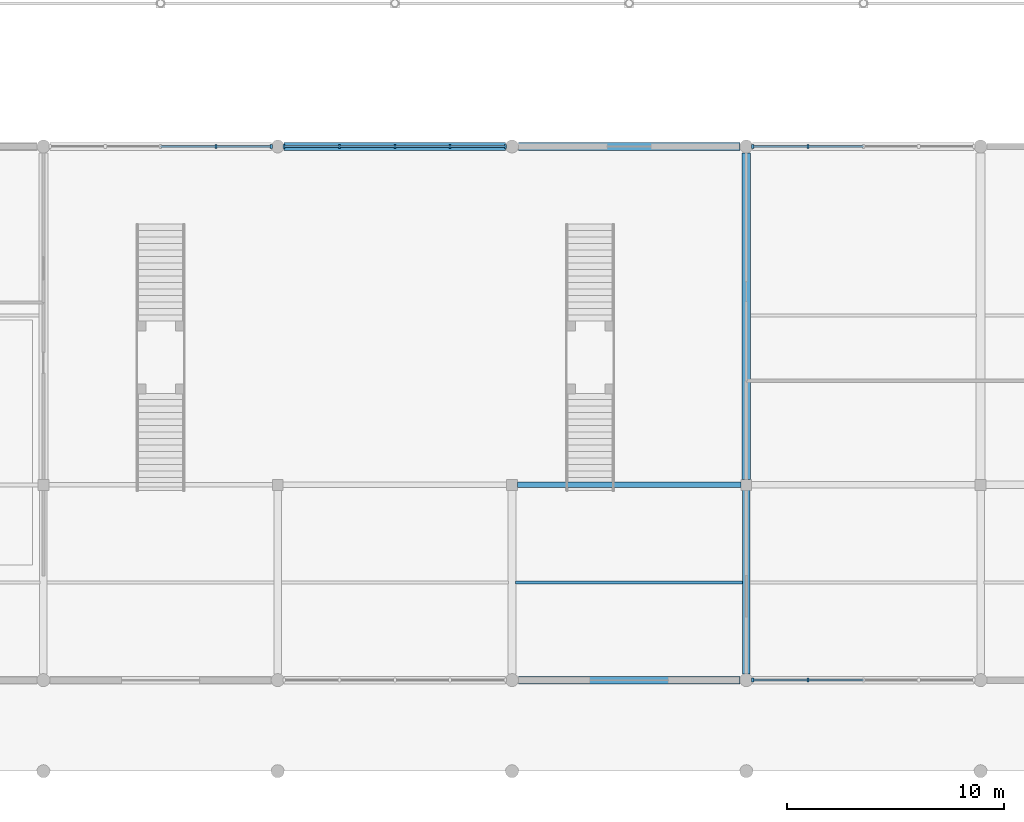
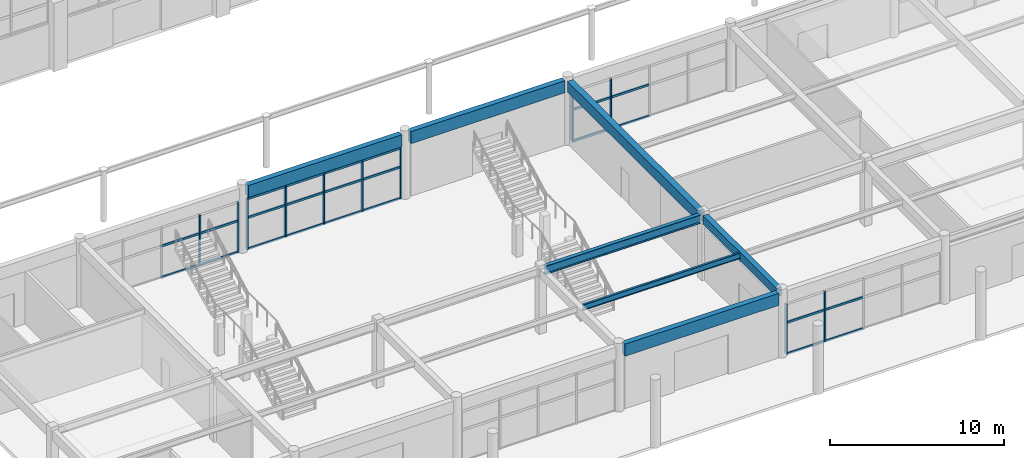
# One storey, part 23 of 82: 32 members, 7 beams, 4 elements without a shape of their own.
"""IFC4 building model written with IfcOpenShell, lengths in metres."""

import ifcopenshell
import ifcopenshell.guid

model = None  # the IFC model being written
_history = None  # IfcOwnerHistory: only IFC2X3 demands one
_inside = {}  # id of a spatial element -> (the spatial element, [elements in it])
_under = {}  # id of a project, library or spatial element -> (it, [spatial elements below it])
_declared = {}  # id of a project -> (the project, [libraries it declares])
_typed = {}  # id of a type object -> (the type object, [elements of that type])
_made_of = {}  # id of a material, layer set ... -> (it, [elements and type objects made of it])


def new_model(schema):
    """Start an empty IFC model of exactly this schema.

    Asked for "IFC4X3", IfcOpenShell would pick the latest addendum, in which some entities
    have other attributes; the version numbers below select the first issue.
    IFC2X3 requires an IfcOwnerHistory on every rooted entity: one is made here for all.
    """
    global model, _history
    if schema == "IFC4X3":
        model = ifcopenshell.file(schema_version=(4, 3, 0, 0))
    else:
        model = ifcopenshell.file(schema=schema)
    _inside.clear()
    _under.clear()
    _declared.clear()
    _typed.clear()
    _made_of.clear()
    _history = None
    if model.schema == "IFC2X3":
        org = make("IfcOrganization", Name="unknown")
        user = make(
            "IfcPersonAndOrganization",
            ThePerson=make("IfcPerson", FamilyName="unknown"),
            TheOrganization=org,
        )
        app = make(
            "IfcApplication",
            ApplicationDeveloper=org,
            Version="unknown",
            ApplicationFullName="unknown",
            ApplicationIdentifier="unknown",
        )
        _history = make(
            "IfcOwnerHistory",
            OwningUser=user,
            OwningApplication=app,
            ChangeAction="ADDED",
            CreationDate=0,
        )
    return model


def make(cls, **values):
    """One entity of the class cls with the attributes given. An attribute that is None is left unset."""
    return model.create_entity(
        cls, **{name: value for name, value in values.items() if value is not None}
    )


def rooted(cls, **values):
    """An entity with a GlobalId (a new one), such as an element, a storey or a relation."""
    return make(cls, GlobalId=ifcopenshell.guid.new(), OwnerHistory=_history, **values)


def si_unit(unit_type, name, prefix=None):
    """IfcSIUnit, for example si_unit("LENGTHUNIT", "METRE", prefix="MILLI")."""
    return make("IfcSIUnit", UnitType=unit_type, Prefix=prefix, Name=name)


def assignment(units):
    """IfcUnitAssignment: the units of a project."""
    return None if units is None else make("IfcUnitAssignment", Units=units)


def point(xyz):
    """IfcCartesianPoint."""
    return None if xyz is None else make("IfcCartesianPoint", Coordinates=xyz)


def direction(xyz):
    """IfcDirection."""
    return None if xyz is None else make("IfcDirection", DirectionRatios=xyz)


def frame(location, z_axis=None, x_axis=None):
    """IfcAxis2Placement3D, a coordinate frame: its origin and axes. An axis left out is left unset."""
    return make(
        "IfcAxis2Placement3D",
        Location=point(location),
        Axis=direction(z_axis),
        RefDirection=direction(x_axis),
    )


def frame_2d(location, x_axis=None):
    """IfcAxis2Placement2D, a coordinate frame in the plane: its origin and x axis."""
    return make(
        "IfcAxis2Placement2D", Location=point(location), RefDirection=direction(x_axis)
    )


def origin():
    """The frame at (0, 0, 0) with its axes left unset."""
    return frame((0.0, 0.0, 0.0))


def origin_2d():
    """The frame at (0, 0) in the plane with its x axis left unset."""
    return frame_2d((0.0, 0.0))


def place(relative_to, where):
    """IfcLocalPlacement: puts the frame where relative to a parent placement (None: the world)."""
    return make(
        "IfcLocalPlacement", PlacementRelTo=relative_to, RelativePlacement=where
    )


def context(
    kind, dimensions, precision=None, world=None, true_north=None, identifier=None
):
    """IfcGeometricRepresentationContext, for example the 3D "Model" context."""
    return make(
        "IfcGeometricRepresentationContext",
        ContextIdentifier=identifier,
        ContextType=kind,
        CoordinateSpaceDimension=dimensions,
        Precision=precision,
        WorldCoordinateSystem=world,
        TrueNorth=true_north,
    )


def subcontext(parent, identifier, kind, view, scale=None):
    """IfcGeometricRepresentationSubContext, for example "Body" below "Model"."""
    return make(
        "IfcGeometricRepresentationSubContext",
        ContextIdentifier=identifier,
        ContextType=kind,
        ParentContext=parent,
        TargetScale=scale,
        TargetView=view,
    )


def project(units=None, contexts=None):
    """IfcProject with its units and contexts."""
    return rooted(
        "IfcProject",
        Name="project",
        RepresentationContexts=contexts,
        UnitsInContext=assignment(units),
    )


def spatial(cls, under=None, at=None, **own):
    """A site, building, storey or space (cls), placed at a placement, below another one or the project."""
    s = rooted(cls, ObjectPlacement=at, **own)
    if under is not None:
        _under.setdefault(under.id(), (under, []))[1].append(s)
    return s


def profile(cls, at=None, kind="AREA", **sizes):
    """A parametric profile (cls). Its sizes go by their IFC names, for example OverallWidth=200.0."""
    return make(cls, ProfileType=kind, Position=at, **sizes)


def rectangle(**sizes):
    """IfcRectangleProfileDef."""
    return profile("IfcRectangleProfileDef", **sizes)


def i_section(**sizes):
    """IfcIShapeProfileDef."""
    return profile("IfcIShapeProfileDef", **sizes)


def extrude(swept, where, along, depth):
    """IfcExtrudedAreaSolid: the profile swept, set in the frame where, extruded along a direction by depth."""
    return make(
        "IfcExtrudedAreaSolid",
        SweptArea=swept,
        Position=where,
        ExtrudedDirection=direction(along),
        Depth=depth,
    )


def shape(context_of_items, identifier, shape_type, items):
    """IfcShapeRepresentation: the items that make up one representation, for example the "Body"."""
    return make(
        "IfcShapeRepresentation",
        ContextOfItems=context_of_items,
        RepresentationIdentifier=identifier,
        RepresentationType=shape_type,
        Items=items,
    )


def material(Name=None, Category=None):
    """IfcMaterial."""
    return make("IfcMaterial", Name=Name, Category=Category)


def material_profile(
    of_material, cross_section, Name=None, Category=None, Priority=None
):
    """IfcMaterialProfile: a cross section and its material."""
    return make(
        "IfcMaterialProfile",
        Name=Name,
        Material=of_material,
        Profile=cross_section,
        Priority=Priority,
        Category=Category,
    )


def profile_set(profiles, Name=None, composite=None):
    """IfcMaterialProfileSet."""
    return make(
        "IfcMaterialProfileSet",
        Name=Name,
        MaterialProfiles=profiles,
        CompositeProfile=composite,
    )


def made_of(thing, what):
    """Note that an element or type object is made of a material, layer set ...; save() writes the relation."""
    if what is not None:
        _made_of.setdefault(what.id(), (what, []))[1].append(thing)
    return thing


def type_object(cls, material=None, **own):
    """A type object (cls), such as IfcWallType, which elements share."""
    return made_of(rooted(cls, **own), material)


def element(
    cls,
    number,
    at=None,
    inside=None,
    cuts=None,
    type_object=None,
    material=None,
    context=None,
    identifier="Body",
    shape_type=None,
    held_by="IfcProductDefinitionShape",
    body=None,
    shapes=None,
    **own,
):
    """One element of the class cls, such as IfcWall. Its Tag is "e" and its number.

    at: its placement. inside: the storey or other place that contains it. cuts: it is an
    opening in that element (IfcRelVoidsElement). A single representation is given by context,
    identifier, shape_type and body (its items); several are given by shapes. held_by: the class
    of the entity that holds the representations. save() writes the other relations.
    """
    e = rooted(cls, Tag="e%d" % number, ObjectPlacement=at, **own)
    if body is not None:
        shapes = [shape(context, identifier, shape_type, body)]
    if shapes is not None:
        e.Representation = make(held_by, Representations=shapes)
    if inside is not None:
        _inside.setdefault(inside.id(), (inside, []))[1].append(e)
    if cuts is not None:
        rooted(
            "IfcRelVoidsElement", RelatingBuildingElement=cuts, RelatedOpeningElement=e
        )
    if type_object is not None:
        _typed.setdefault(type_object.id(), (type_object, []))[1].append(e)
    return made_of(e, material)


def aggregate(whole, parts):
    """IfcRelAggregates: a whole, such as a stair, and the parts it consists of."""
    return rooted("IfcRelAggregates", RelatingObject=whole, RelatedObjects=parts)


def save(model, path):
    """Write the relations noted so far, then the file.

    IfcRelAggregates (storeys below a building ...), IfcRelContainedInSpatialStructure (elements
    in a storey), IfcRelDefinesByType, IfcRelAssociatesMaterial and IfcRelDeclares: one each for
    every whole, place, type object, material and project.
    """
    for whole, parts in _under.values():
        aggregate(whole, parts)
    for where, things in _inside.values():
        rooted(
            "IfcRelContainedInSpatialStructure",
            RelatedElements=things,
            RelatingStructure=where,
        )
    for kind, things in _typed.values():
        rooted("IfcRelDefinesByType", RelatedObjects=things, RelatingType=kind)
    for what, things in _made_of.values():
        rooted("IfcRelAssociatesMaterial", RelatedObjects=things, RelatingMaterial=what)
    for by, libraries in _declared.values():
        rooted("IfcRelDeclares", RelatingContext=by, RelatedDefinitions=libraries)
    model.write(path)


model = new_model("IFC4")

# Units and contexts
model_context = context("Model", 3, precision=1e-05, world=origin(), true_north=direction((0.0, 1.0)))
body_context = subcontext(model_context, "Body", "Model", "MODEL_VIEW")
ifc_project = project(units=[si_unit("LENGTHUNIT", "METRE"), si_unit("AREAUNIT", "SQUARE_METRE"), si_unit("VOLUMEUNIT", "CUBIC_METRE"), si_unit("PLANEANGLEUNIT", "RADIAN"), si_unit("MASSUNIT", "GRAM", prefix="KILO")], contexts=[model_context])

# Site, building, storey
site_placement = place(None, origin())
site = spatial("IfcSite", under=ifc_project, at=site_placement, CompositionType="ELEMENT")
building_placement = place(site_placement, origin())
building = spatial("IfcBuilding", under=site, at=building_placement, Name="Suirenkawa Promenade Aquatics Centre", CompositionType="ELEMENT")
storey_placement = place(building_placement, origin())
storey = spatial("IfcBuildingStorey", under=building, at=storey_placement, Name="L00", CompositionType="ELEMENT", Elevation=0.0)

# Beams
ifc_material_1 = material(Name="Steel IS 2062 E350 (Grade 350)", Category="steel")
ifc_material_profile_1 = material_profile(ifc_material_1, i_section(OverallWidth=0.139892578125, OverallDepth=0.39990234375, WebThickness=0.009033203125, FlangeThickness=0.01611328125, at=origin_2d()), Name="ISMB 400", Category="steel")
ifc_profile_set_1 = profile_set([ifc_material_profile_1], Name="Steel IS 2062 E350 (Grade 350)")
beam_type_1 = type_object("IfcBeamType", Name="BT-JOIST-ISMB400", PredefinedType="JOIST", material=ifc_profile_set_1)
beam_1_placement = place(storey_placement, frame((111.76904296875, 8.699951171875, 4.347900390625), z_axis=(1.0, 0.0, 0.0), x_axis=(0.0, 1.0, 0.0)))
element("IfcBeam", 1, at=beam_1_placement, inside=storey, type_object=beam_type_1, Name="Secondary floor joist JS-04 BM-1536", PredefinedType="JOIST", context=body_context, shape_type="SweptSolid", body=[
    extrude(i_section(OverallWidth=0.139892578125, OverallDepth=0.39990234375, WebThickness=0.009033203125, FlangeThickness=0.01611328125, at=origin_2d()), origin(), (0.0, 0.0, 1.0), 10.4619140625),
])
ifc_material_2 = material(Name="Concrete M35", Category="concrete")
ifc_material_profile_2 = material_profile(ifc_material_2, rectangle(XDim=0.35009765625, YDim=0.60009765625, at=origin_2d()), Name="RC BM 350x600", Category="concrete")
ifc_profile_set_2 = profile_set([ifc_material_profile_2], Name="Concrete M35")
beam_type_2 = type_object("IfcBeamType", Name="BT-RC-350x600", PredefinedType="BEAM", material=ifc_profile_set_2)
beam_2_placement = place(storey_placement, frame((122.39990234375, 4.493896484375, 4.25), z_axis=(0.0, 1.0, 0.0), x_axis=(-1.0, 0.0, 0.0)))
element("IfcBeam", 2, at=beam_2_placement, inside=storey, type_object=beam_type_2, Name="Floor beam BM-02 BM-1524", PredefinedType="BEAM", context=body_context, shape_type="SweptSolid", body=[
    extrude(rectangle(XDim=0.35009765625, YDim=0.60009765625, at=origin_2d()), origin(), (0.0, 0.0, 1.0), 8.462158203125),
])
ifc_material_3 = material(Name="Concrete M40", Category="concrete")
ifc_material_profile_3 = material_profile(ifc_material_3, rectangle(XDim=0.39990234375, YDim=0.75, at=origin_2d()), Name="RC BM 400x750", Category="concrete")
ifc_profile_set_3 = profile_set([ifc_material_profile_3], Name="Concrete M40")
beam_type_3 = type_object("IfcBeamType", Name="BT-RC-400x750", PredefinedType="BEAM", material=ifc_profile_set_3)
beam_3_placement = place(storey_placement, frame((122.39990234375, 13.444091796875, 4.175048828125), z_axis=(0.0, 1.0, 0.0), x_axis=(-1.0, 0.0, 0.0)))
element("IfcBeam", 3, at=beam_3_placement, inside=storey, type_object=beam_type_3, Name="Floor beam BM-05 BM-1525", PredefinedType="BEAM", context=body_context, shape_type="SweptSolid", body=[
    extrude(rectangle(XDim=0.39990234375, YDim=0.75, at=origin_2d()), origin(), (0.0, 0.0, 1.0), 15.06201171875),
])
ifc_material_profile_4 = material_profile(ifc_material_3, rectangle(XDim=0.35009765625, YDim=0.85009765625, at=origin_2d()), Name="RC SPANDREL 350x850", Category="concrete")
ifc_profile_set_4 = profile_set([ifc_material_profile_4], Name="Concrete M40")
beam_type_4 = type_object("IfcBeamType", Name="BT-SPANDREL-350x850", PredefinedType="SPANDREL", material=ifc_profile_set_4)
for number, where, z_axis, x_axis, name in (
    (4, (111.89404296875, 4.199951171875, 4.125), (1.0, 0.0, 0.0), (0.0, 1.0, 0.0), "Floor beam SP-02 BM-1500"),
    (5, (101.093994140625, 28.800048828125, 4.125), (1.0, 0.0, 0.0), (0.0, 1.0, 0.0), "Floor beam SP-02 BM-1513"),
    (6, (111.89404296875, 28.800048828125, 4.125), (1.0, 0.0, 0.0), (0.0, 1.0, 0.0), "Floor beam SP-02 BM-1514"),
):
    element("IfcBeam", number, at=place(storey_placement, frame(where, z_axis=z_axis, x_axis=x_axis)), inside=storey, type_object=beam_type_4, Name=name, PredefinedType="SPANDREL", context=body_context, shape_type="SweptSolid", body=[
        extrude(rectangle(XDim=0.35009765625, YDim=0.85009765625, at=origin_2d()), origin(), (0.0, 0.0, 1.0), 10.2119140625),
    ])
ifc_material_profile_5 = material_profile(ifc_material_1, i_section(OverallWidth=0.25, OverallDepth=0.60009765625, WebThickness=0.011962890625, FlangeThickness=0.02392578125, at=origin_2d()), Name="ISWB 600", Category="steel")
ifc_profile_set_5 = profile_set([ifc_material_profile_5], Name="Steel IS 2062 E350 (Grade 350)")
beam_type_5 = type_object("IfcBeamType", Name="BT-STL-ISWB600", PredefinedType="BEAM", material=ifc_profile_set_5)
beam_4_placement = place(storey_placement, frame((111.843994140625, 13.199951171875, 4.25), z_axis=(1.0, 0.0, 0.0), x_axis=(0.0, 1.0, 0.0)))
element("IfcBeam", 7, at=beam_4_placement, inside=storey, type_object=beam_type_5, Name="Floor beam BM-12 BM-1507", PredefinedType="BEAM", context=body_context, shape_type="SweptSolid", body=[
    extrude(i_section(OverallWidth=0.25, OverallDepth=0.60009765625, WebThickness=0.011962890625, FlangeThickness=0.02392578125, at=origin_2d()), origin(), (0.0, 0.0, 1.0), 10.31201171875),
])

# Curtain wall, members
ifc_material_4 = material(Name="Anodised aluminium 6063-T6", Category="aluminium")
curtain_wall_type_1 = type_object("IfcCurtainWallType", Name="CWAT-V3NL0-26", PredefinedType="NOTDEFINED", material=ifc_material_4)
curtain_wall_1_placement = place(storey_placement, origin())
curtain_wall_1 = element("IfcCurtainWall", 8, at=curtain_wall_1_placement, inside=storey, type_object=curtain_wall_type_1, Name="Curtain wall CWA-26 CW-058", PredefinedType="NOTDEFINED")
ifc_material_profile_6 = material_profile(ifc_material_4, rectangle(XDim=0.094970703125, YDim=0.18994140625, at=origin_2d()), Name="ALU MULL 95x190", Category="aluminium")
ifc_profile_set_6 = profile_set([ifc_material_profile_6], Name="Anodised aluminium 6063-T6")
member_type_1 = type_object("IfcMemberType", Name="CWM-190x95", PredefinedType="MULLION", material=ifc_profile_set_6)
member_1_placement = place(storey_placement, frame((97.950439453125, 28.800048828125, 0.0), z_axis=(0.0, 0.0, 1.0), x_axis=(1.0, 0.0, 0.0)))
member_1 = element("IfcMember", 9, at=member_1_placement, type_object=member_type_1, Name="Mullion ML-02 CWM-01148", PredefinedType="MULLION", context=body_context, shape_type="SweptSolid", body=[
    extrude(rectangle(XDim=0.094970703125, YDim=0.18994140625, at=origin_2d()), origin(), (0.0, 0.0, 1.0), 3.52001953125),
])
member_2_placement = place(storey_placement, frame((100.5009765625, 28.800048828125, 0.0), z_axis=(0.0, 0.0, 1.0), x_axis=(1.0, 0.0, 0.0)))
member_2 = element("IfcMember", 10, at=member_2_placement, type_object=member_type_1, Name="Mullion ML-02 CWM-01149", PredefinedType="MULLION", context=body_context, shape_type="SweptSolid", body=[
    extrude(rectangle(XDim=0.094970703125, YDim=0.18994140625, at=origin_2d()), origin(), (0.0, 0.0, 1.0), 3.52001953125),
])

curtain_wall_2_placement = place(storey_placement, origin())
curtain_wall_2 = element("IfcCurtainWall", 11, at=curtain_wall_2_placement, inside=storey, type_object=curtain_wall_type_1, Name="Curtain wall CWA-26 CW-062", PredefinedType="NOTDEFINED")
member_3_placement = place(storey_placement, frame((101.09912109375, 28.800048828125, 0.0), z_axis=(0.0, 0.0, 1.0), x_axis=(1.0, 0.0, 0.0)))
member_3 = element("IfcMember", 12, at=member_3_placement, type_object=member_type_1, Name="Mullion ML-02 CWM-01233", PredefinedType="MULLION", context=body_context, shape_type="SweptSolid", body=[
    extrude(rectangle(XDim=0.094970703125, YDim=0.18994140625, at=origin_2d()), origin(), (0.0, 0.0, 1.0), 3.52001953125),
])
member_4_placement = place(storey_placement, frame((103.6494140625, 28.800048828125, 0.0), z_axis=(0.0, 0.0, 1.0), x_axis=(1.0, 0.0, 0.0)))
member_4 = element("IfcMember", 13, at=member_4_placement, type_object=member_type_1, Name="Mullion ML-02 CWM-01234", PredefinedType="MULLION", context=body_context, shape_type="SweptSolid", body=[
    extrude(rectangle(XDim=0.094970703125, YDim=0.18994140625, at=origin_2d()), origin(), (0.0, 0.0, 1.0), 3.52001953125),
])
member_5_placement = place(storey_placement, frame((106.199951171875, 28.800048828125, 0.0), z_axis=(0.0, 0.0, 1.0), x_axis=(1.0, 0.0, 0.0)))
member_5 = element("IfcMember", 14, at=member_5_placement, type_object=member_type_1, Name="Mullion ML-02 CWM-01235", PredefinedType="MULLION", context=body_context, shape_type="SweptSolid", body=[
    extrude(rectangle(XDim=0.094970703125, YDim=0.18994140625, at=origin_2d()), origin(), (0.0, 0.0, 1.0), 3.52001953125),
])
member_6_placement = place(storey_placement, frame((108.75048828125, 28.800048828125, 0.0), z_axis=(0.0, 0.0, 1.0), x_axis=(1.0, 0.0, 0.0)))
member_6 = element("IfcMember", 15, at=member_6_placement, type_object=member_type_1, Name="Mullion ML-02 CWM-01236", PredefinedType="MULLION", context=body_context, shape_type="SweptSolid", body=[
    extrude(rectangle(XDim=0.094970703125, YDim=0.18994140625, at=origin_2d()), origin(), (0.0, 0.0, 1.0), 3.52001953125),
])
member_7_placement = place(storey_placement, frame((111.301025390625, 28.800048828125, 0.0), z_axis=(0.0, 0.0, 1.0), x_axis=(1.0, 0.0, 0.0)))
member_7 = element("IfcMember", 16, at=member_7_placement, type_object=member_type_1, Name="Mullion ML-02 CWM-01237", PredefinedType="MULLION", context=body_context, shape_type="SweptSolid", body=[
    extrude(rectangle(XDim=0.094970703125, YDim=0.18994140625, at=origin_2d()), origin(), (0.0, 0.0, 1.0), 3.52001953125),
])

curtain_wall_type_2 = type_object("IfcCurtainWallType", Name="CWAT-V3SL0-27", PredefinedType="NOTDEFINED", material=ifc_material_4)
curtain_wall_3_placement = place(storey_placement, origin())
curtain_wall_3 = element("IfcCurtainWall", 17, at=curtain_wall_3_placement, inside=storey, type_object=curtain_wall_type_2, Name="Curtain wall CWA-27 CW-067", PredefinedType="NOTDEFINED")
member_8_placement = place(storey_placement, frame((125.24951171875, 4.199951171875, 0.0), z_axis=(0.0, 0.0, 1.0), x_axis=(-1.0, 0.0, 0.0)))
member_8 = element("IfcMember", 18, at=member_8_placement, type_object=member_type_1, Name="Mullion ML-02 CWM-01346", PredefinedType="MULLION", context=body_context, shape_type="SweptSolid", body=[
    extrude(rectangle(XDim=0.094970703125, YDim=0.18994140625, at=origin_2d()), origin(), (0.0, 0.0, 1.0), 3.52001953125),
])
member_9_placement = place(storey_placement, frame((122.698974609375, 4.199951171875, 0.0), z_axis=(0.0, 0.0, 1.0), x_axis=(-1.0, 0.0, 0.0)))
member_9 = element("IfcMember", 19, at=member_9_placement, type_object=member_type_1, Name="Mullion ML-02 CWM-01347", PredefinedType="MULLION", context=body_context, shape_type="SweptSolid", body=[
    extrude(rectangle(XDim=0.094970703125, YDim=0.18994140625, at=origin_2d()), origin(), (0.0, 0.0, 1.0), 3.52001953125),
])

curtain_wall_4_placement = place(storey_placement, origin())
curtain_wall_4 = element("IfcCurtainWall", 20, at=curtain_wall_4_placement, inside=storey, type_object=curtain_wall_type_1, Name="Curtain wall CWA-26 CW-068", PredefinedType="NOTDEFINED")
member_10_placement = place(storey_placement, frame((122.698974609375, 28.800048828125, 0.0), z_axis=(0.0, 0.0, 1.0), x_axis=(1.0, 0.0, 0.0)))
member_10 = element("IfcMember", 21, at=member_10_placement, type_object=member_type_1, Name="Mullion ML-02 CWM-01365", PredefinedType="MULLION", context=body_context, shape_type="SweptSolid", body=[
    extrude(rectangle(XDim=0.094970703125, YDim=0.18994140625, at=origin_2d()), origin(), (0.0, 0.0, 1.0), 3.52001953125),
])
member_11_placement = place(storey_placement, frame((125.24951171875, 28.800048828125, 0.0), z_axis=(0.0, 0.0, 1.0), x_axis=(1.0, 0.0, 0.0)))
member_11 = element("IfcMember", 22, at=member_11_placement, type_object=member_type_1, Name="Mullion ML-02 CWM-01366", PredefinedType="MULLION", context=body_context, shape_type="SweptSolid", body=[
    extrude(rectangle(XDim=0.094970703125, YDim=0.18994140625, at=origin_2d()), origin(), (0.0, 0.0, 1.0), 3.52001953125),
])

# Member
ifc_material_profile_7 = material_profile(ifc_material_4, rectangle(XDim=0.094970703125, YDim=0.14990234375, at=origin_2d()), Name="ALU TRAN 95x150", Category="aluminium")
ifc_profile_set_7 = profile_set([ifc_material_profile_7], Name="Anodised aluminium 6063-T6")
member_type_2 = type_object("IfcMemberType", Name="CWT-150x95", PredefinedType="USERDEFINED", material=ifc_profile_set_7)
member_12_placement = place(storey_placement, frame((95.39990234375, 28.800048828125, 0.0), z_axis=(1.0, 0.0, 0.0), x_axis=(0.0, 1.0, 0.0)))
member_12 = element("IfcMember", 23, at=member_12_placement, type_object=member_type_2, Name="Transom TR-02 CWT-01152", ObjectType="TRANSOM", PredefinedType="USERDEFINED", context=body_context, shape_type="SweptSolid", body=[
    extrude(rectangle(XDim=0.094970703125, YDim=0.14990234375, at=origin_2d()), origin(), (0.0, 0.0, 1.0), 2.550537109375),
])

member_13_placement = place(storey_placement, frame((97.950439453125, 28.800048828125, 0.0), z_axis=(1.0, 0.0, 0.0), x_axis=(0.0, 1.0, 0.0)))
member_13 = element("IfcMember", 24, at=member_13_placement, type_object=member_type_2, Name="Transom TR-02 CWT-01153", ObjectType="TRANSOM", PredefinedType="USERDEFINED", context=body_context, shape_type="SweptSolid", body=[
    extrude(rectangle(XDim=0.094970703125, YDim=0.14990234375, at=origin_2d()), origin(), (0.0, 0.0, 1.0), 2.550537109375),
])

member_14_placement = place(storey_placement, frame((95.39990234375, 28.800048828125, 2.199951171875), z_axis=(1.0, 0.0, 0.0), x_axis=(0.0, 1.0, 0.0)))
member_14 = element("IfcMember", 25, at=member_14_placement, type_object=member_type_2, Name="Transom TR-02 CWT-01156", ObjectType="TRANSOM", PredefinedType="USERDEFINED", context=body_context, shape_type="SweptSolid", body=[
    extrude(rectangle(XDim=0.094970703125, YDim=0.14990234375, at=origin_2d()), origin(), (0.0, 0.0, 1.0), 2.550537109375),
])

member_15_placement = place(storey_placement, frame((97.950439453125, 28.800048828125, 2.199951171875), z_axis=(1.0, 0.0, 0.0), x_axis=(0.0, 1.0, 0.0)))
member_15 = element("IfcMember", 26, at=member_15_placement, type_object=member_type_2, Name="Transom TR-02 CWT-01157", ObjectType="TRANSOM", PredefinedType="USERDEFINED", context=body_context, shape_type="SweptSolid", body=[
    extrude(rectangle(XDim=0.094970703125, YDim=0.14990234375, at=origin_2d()), origin(), (0.0, 0.0, 1.0), 2.550537109375),
])

aggregate(curtain_wall_1, [member_1, member_2, member_12, member_13, member_14, member_15])

member_16_placement = place(storey_placement, frame((101.09912109375, 28.800048828125, 0.0), z_axis=(1.0, 0.0, 0.0), x_axis=(0.0, 1.0, 0.0)))
member_16 = element("IfcMember", 27, at=member_16_placement, type_object=member_type_2, Name="Transom TR-02 CWT-01238", ObjectType="TRANSOM", PredefinedType="USERDEFINED", context=body_context, shape_type="SweptSolid", body=[
    extrude(rectangle(XDim=0.094970703125, YDim=0.14990234375, at=origin_2d()), origin(), (0.0, 0.0, 1.0), 2.55029296875),
])

member_17_placement = place(storey_placement, frame((103.6494140625, 28.800048828125, 0.0), z_axis=(1.0, 0.0, 0.0), x_axis=(0.0, 1.0, 0.0)))
member_17 = element("IfcMember", 28, at=member_17_placement, type_object=member_type_2, Name="Transom TR-02 CWT-01239", ObjectType="TRANSOM", PredefinedType="USERDEFINED", context=body_context, shape_type="SweptSolid", body=[
    extrude(rectangle(XDim=0.094970703125, YDim=0.14990234375, at=origin_2d()), origin(), (0.0, 0.0, 1.0), 2.550537109375),
])

member_18_placement = place(storey_placement, frame((106.199951171875, 28.800048828125, 0.0), z_axis=(1.0, 0.0, 0.0), x_axis=(0.0, 1.0, 0.0)))
member_18 = element("IfcMember", 29, at=member_18_placement, type_object=member_type_2, Name="Transom TR-02 CWT-01240", ObjectType="TRANSOM", PredefinedType="USERDEFINED", context=body_context, shape_type="SweptSolid", body=[
    extrude(rectangle(XDim=0.094970703125, YDim=0.14990234375, at=origin_2d()), origin(), (0.0, 0.0, 1.0), 2.550537109375),
])

member_19_placement = place(storey_placement, frame((108.75048828125, 28.800048828125, 0.0), z_axis=(1.0, 0.0, 0.0), x_axis=(0.0, 1.0, 0.0)))
member_19 = element("IfcMember", 30, at=member_19_placement, type_object=member_type_2, Name="Transom TR-02 CWT-01241", ObjectType="TRANSOM", PredefinedType="USERDEFINED", context=body_context, shape_type="SweptSolid", body=[
    extrude(rectangle(XDim=0.094970703125, YDim=0.14990234375, at=origin_2d()), origin(), (0.0, 0.0, 1.0), 2.550537109375),
])

member_20_placement = place(storey_placement, frame((101.09912109375, 28.800048828125, 2.199951171875), z_axis=(1.0, 0.0, 0.0), x_axis=(0.0, 1.0, 0.0)))
member_20 = element("IfcMember", 31, at=member_20_placement, type_object=member_type_2, Name="Transom TR-02 CWT-01242", ObjectType="TRANSOM", PredefinedType="USERDEFINED", context=body_context, shape_type="SweptSolid", body=[
    extrude(rectangle(XDim=0.094970703125, YDim=0.14990234375, at=origin_2d()), origin(), (0.0, 0.0, 1.0), 2.55029296875),
])

member_21_placement = place(storey_placement, frame((103.6494140625, 28.800048828125, 2.199951171875), z_axis=(1.0, 0.0, 0.0), x_axis=(0.0, 1.0, 0.0)))
member_21 = element("IfcMember", 32, at=member_21_placement, type_object=member_type_2, Name="Transom TR-02 CWT-01243", ObjectType="TRANSOM", PredefinedType="USERDEFINED", context=body_context, shape_type="SweptSolid", body=[
    extrude(rectangle(XDim=0.094970703125, YDim=0.14990234375, at=origin_2d()), origin(), (0.0, 0.0, 1.0), 2.550537109375),
])

member_22_placement = place(storey_placement, frame((106.199951171875, 28.800048828125, 2.199951171875), z_axis=(1.0, 0.0, 0.0), x_axis=(0.0, 1.0, 0.0)))
member_22 = element("IfcMember", 33, at=member_22_placement, type_object=member_type_2, Name="Transom TR-02 CWT-01244", ObjectType="TRANSOM", PredefinedType="USERDEFINED", context=body_context, shape_type="SweptSolid", body=[
    extrude(rectangle(XDim=0.094970703125, YDim=0.14990234375, at=origin_2d()), origin(), (0.0, 0.0, 1.0), 2.550537109375),
])

member_23_placement = place(storey_placement, frame((108.75048828125, 28.800048828125, 2.199951171875), z_axis=(1.0, 0.0, 0.0), x_axis=(0.0, 1.0, 0.0)))
member_23 = element("IfcMember", 34, at=member_23_placement, type_object=member_type_2, Name="Transom TR-02 CWT-01245", ObjectType="TRANSOM", PredefinedType="USERDEFINED", context=body_context, shape_type="SweptSolid", body=[
    extrude(rectangle(XDim=0.094970703125, YDim=0.14990234375, at=origin_2d()), origin(), (0.0, 0.0, 1.0), 2.550537109375),
])

member_24_placement = place(storey_placement, frame((101.09912109375, 28.800048828125, 3.52001953125), z_axis=(1.0, 0.0, 0.0), x_axis=(0.0, 1.0, 0.0)))
member_24 = element("IfcMember", 35, at=member_24_placement, type_object=member_type_2, Name="Roofline transom TR-02 CWT-01246", ObjectType="TRANSOM", PredefinedType="USERDEFINED", context=body_context, shape_type="SweptSolid", body=[
    extrude(rectangle(XDim=0.094970703125, YDim=0.14990234375, at=origin_2d()), origin(), (0.0, 0.0, 1.0), 10.201904296875),
])

aggregate(curtain_wall_2, [member_3, member_4, member_5, member_6, member_7, member_16, member_17, member_18, member_19, member_20, member_21, member_22, member_23, member_24])

member_25_placement = place(storey_placement, frame((127.800048828125, 4.199951171875, 0.0), z_axis=(-1.0, 0.0, 0.0), x_axis=(0.0, -1.0, 0.0)))
member_25 = element("IfcMember", 36, at=member_25_placement, type_object=member_type_2, Name="Transom TR-02 CWT-01350", ObjectType="TRANSOM", PredefinedType="USERDEFINED", context=body_context, shape_type="SweptSolid", body=[
    extrude(rectangle(XDim=0.094970703125, YDim=0.14990234375, at=origin_2d()), origin(), (0.0, 0.0, 1.0), 2.550537109375),
])

member_26_placement = place(storey_placement, frame((125.24951171875, 4.199951171875, 0.0), z_axis=(-1.0, 0.0, 0.0), x_axis=(0.0, -1.0, 0.0)))
member_26 = element("IfcMember", 37, at=member_26_placement, type_object=member_type_2, Name="Transom TR-02 CWT-01351", ObjectType="TRANSOM", PredefinedType="USERDEFINED", context=body_context, shape_type="SweptSolid", body=[
    extrude(rectangle(XDim=0.094970703125, YDim=0.14990234375, at=origin_2d()), origin(), (0.0, 0.0, 1.0), 2.550537109375),
])

member_27_placement = place(storey_placement, frame((127.800048828125, 4.199951171875, 2.199951171875), z_axis=(-1.0, 0.0, 0.0), x_axis=(0.0, -1.0, 0.0)))
member_27 = element("IfcMember", 38, at=member_27_placement, type_object=member_type_2, Name="Transom TR-02 CWT-01354", ObjectType="TRANSOM", PredefinedType="USERDEFINED", context=body_context, shape_type="SweptSolid", body=[
    extrude(rectangle(XDim=0.094970703125, YDim=0.14990234375, at=origin_2d()), origin(), (0.0, 0.0, 1.0), 2.550537109375),
])

member_28_placement = place(storey_placement, frame((125.24951171875, 4.199951171875, 2.199951171875), z_axis=(-1.0, 0.0, 0.0), x_axis=(0.0, -1.0, 0.0)))
member_28 = element("IfcMember", 39, at=member_28_placement, type_object=member_type_2, Name="Transom TR-02 CWT-01355", ObjectType="TRANSOM", PredefinedType="USERDEFINED", context=body_context, shape_type="SweptSolid", body=[
    extrude(rectangle(XDim=0.094970703125, YDim=0.14990234375, at=origin_2d()), origin(), (0.0, 0.0, 1.0), 2.550537109375),
])

aggregate(curtain_wall_3, [member_8, member_9, member_25, member_26, member_27, member_28])

member_29_placement = place(storey_placement, frame((122.698974609375, 28.800048828125, 0.0), z_axis=(1.0, 0.0, 0.0), x_axis=(0.0, 1.0, 0.0)))
member_29 = element("IfcMember", 40, at=member_29_placement, type_object=member_type_2, Name="Transom TR-02 CWT-01370", ObjectType="TRANSOM", PredefinedType="USERDEFINED", context=body_context, shape_type="SweptSolid", body=[
    extrude(rectangle(XDim=0.094970703125, YDim=0.14990234375, at=origin_2d()), origin(), (0.0, 0.0, 1.0), 2.550537109375),
])

member_30_placement = place(storey_placement, frame((125.24951171875, 28.800048828125, 0.0), z_axis=(1.0, 0.0, 0.0), x_axis=(0.0, 1.0, 0.0)))
member_30 = element("IfcMember", 41, at=member_30_placement, type_object=member_type_2, Name="Transom TR-02 CWT-01371", ObjectType="TRANSOM", PredefinedType="USERDEFINED", context=body_context, shape_type="SweptSolid", body=[
    extrude(rectangle(XDim=0.094970703125, YDim=0.14990234375, at=origin_2d()), origin(), (0.0, 0.0, 1.0), 2.550537109375),
])

member_31_placement = place(storey_placement, frame((122.698974609375, 28.800048828125, 2.199951171875), z_axis=(1.0, 0.0, 0.0), x_axis=(0.0, 1.0, 0.0)))
member_31 = element("IfcMember", 42, at=member_31_placement, type_object=member_type_2, Name="Transom TR-02 CWT-01374", ObjectType="TRANSOM", PredefinedType="USERDEFINED", context=body_context, shape_type="SweptSolid", body=[
    extrude(rectangle(XDim=0.094970703125, YDim=0.14990234375, at=origin_2d()), origin(), (0.0, 0.0, 1.0), 2.550537109375),
])

member_32_placement = place(storey_placement, frame((125.24951171875, 28.800048828125, 2.199951171875), z_axis=(1.0, 0.0, 0.0), x_axis=(0.0, 1.0, 0.0)))
member_32 = element("IfcMember", 43, at=member_32_placement, type_object=member_type_2, Name="Transom TR-02 CWT-01375", ObjectType="TRANSOM", PredefinedType="USERDEFINED", context=body_context, shape_type="SweptSolid", body=[
    extrude(rectangle(XDim=0.094970703125, YDim=0.14990234375, at=origin_2d()), origin(), (0.0, 0.0, 1.0), 2.550537109375),
])

aggregate(curtain_wall_4, [member_10, member_11, member_29, member_30, member_31, member_32])

save(model, "model.ifc")
